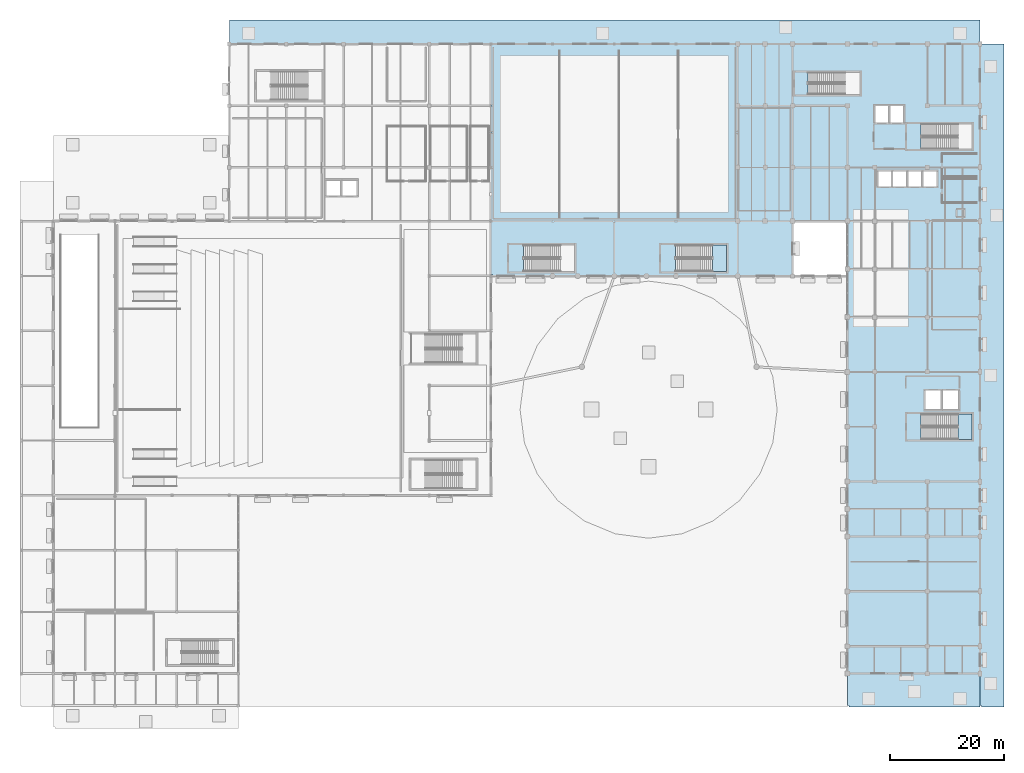
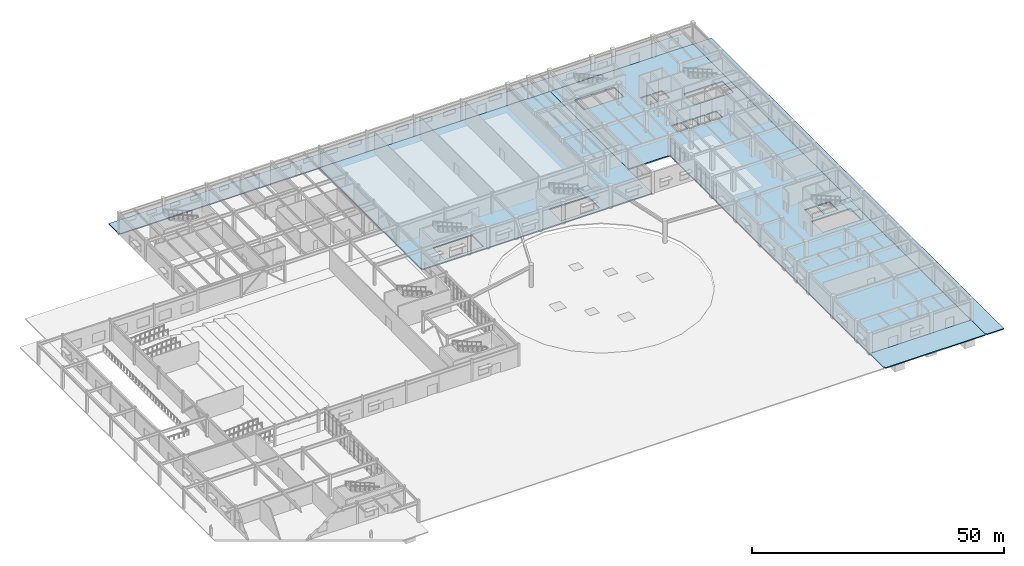
# One storey, part 26 of 54: 7 slabs, 2 elements without a shape of their own.
"""IFC4 building model written with IfcOpenShell, lengths in metres."""

from ifc_helpers import new_model, si_unit, direction, frame, origin, place, context, subcontext, project, spatial, polyline, outline, extrude, material, layer, layer_set, type_object, element, aggregate, save


model = new_model("IFC4")

# Units and contexts
model_context = context("Model", 3, precision=1e-05, world=origin(), true_north=direction((0.0, 1.0)))
body_context = subcontext(model_context, "Body", "Model", "MODEL_VIEW")
ifc_project = project(units=[si_unit("LENGTHUNIT", "METRE"), si_unit("AREAUNIT", "SQUARE_METRE"), si_unit("VOLUMEUNIT", "CUBIC_METRE"), si_unit("PLANEANGLEUNIT", "RADIAN"), si_unit("MASSUNIT", "GRAM", prefix="KILO")], contexts=[model_context])

# Site, building, storey
site_placement = place(None, origin())
site = spatial("IfcSite", under=ifc_project, at=site_placement, CompositionType="ELEMENT")
building_placement = place(site_placement, origin())
building = spatial("IfcBuilding", under=site, at=building_placement, Name="Veldera Park Congress Hotel", CompositionType="ELEMENT")
storey_placement = place(building_placement, origin())
storey = spatial("IfcBuildingStorey", under=building, at=storey_placement, Name="L00", CompositionType="ELEMENT", Elevation=0.0)

# Slabs
ifc_material_1 = material(Name="Concrete f'c 35 MPa (5,000 psi)", Category="concrete")
ifc_layer_1 = layer(ifc_material_1, 0.25)
ifc_layer_set_1 = layer_set([ifc_layer_1], Name="Concrete f'c 35 MPa (5,000 psi)")
slab_type_1 = type_object("IfcSlabType", Name="SLB-APR250", PredefinedType="BASESLAB", material=ifc_layer_set_1)
slab_1_placement = place(storey_placement, frame((0.0, 0.0, -0.25)))
element("IfcSlab", 1, at=slab_1_placement, inside=storey, type_object=slab_type_1, Name="L00 Exterior Arrival Terrace Apron SLB-APR-SOUTH-E", PredefinedType="BASESLAB", context=body_context, shape_type="SweptSolid", body=[
    extrude(outline(polyline([(60.800048828125, -57.739990234375), (61.06005859375, -57.739990234375), (61.06005859375, -58.0), (84.0, -58.0), (84.0, -52.199951171875), (60.800048828125, -52.199951171875), (60.800048828125, -57.739990234375)])), origin(), (0.0, 0.0, 1.0), 0.25),
])
slab_2_placement = place(storey_placement, frame((0.0, 0.0, -0.25)))
element("IfcSlab", 2, at=slab_2_placement, inside=storey, type_object=slab_type_1, Name="L00 Exterior Arrival Terrace Apron SLB-APR-NORTH-ST", PredefinedType="BASESLAB", context=body_context, shape_type="SweptSolid", body=[
    extrude(outline(polyline([(-47.39990234375, 58.260009765625), (-47.139892578125, 58.260009765625), (-47.139892578125, 58.0), (84.0, 58.0), (84.0, 62.199951171875), (-47.39990234375, 62.199951171875), (-47.39990234375, 58.260009765625)])), origin(), (0.0, 0.0, 1.0), 0.25),
])
slab_3_placement = place(storey_placement, frame((0.0, 0.0, -0.25)))
element("IfcSlab", 3, at=slab_3_placement, inside=storey, type_object=slab_type_1, Name="L00 Exterior Arrival Terrace Apron SLB-APR-EAST-ST", PredefinedType="BASESLAB", context=body_context, shape_type="SweptSolid", body=[
    extrude(outline(polyline([(84.0, -57.739990234375), (84.260009765625, -57.739990234375), (84.260009765625, -58.0), (88.199951171875, -58.0), (88.199951171875, 58.0), (84.0, 58.0), (84.0, -57.739990234375)])), origin(), (0.0, 0.0, 1.0), 0.25),
])
ifc_material_2 = material(Name="Concrete f'c 40 MPa (5,800 psi)", Category="concrete")
ifc_layer_2 = layer(ifc_material_2, 0.300048828125)
ifc_layer_set_2 = layer_set([ifc_layer_2], Name="Concrete f'c 40 MPa (5,800 psi)")
slab_type_2 = type_object("IfcSlabType", Name="SLB-RC300", PredefinedType="FLOOR", material=ifc_layer_set_2)
slab_4_placement = place(storey_placement, frame((0.0, 0.0, -0.300048828125)))
element("IfcSlab", 4, at=slab_4_placement, inside=storey, type_object=slab_type_2, Name="L00 Ground Floor Slab SLB-L00-V2", PredefinedType="FLOOR", context=body_context, shape_type="SweptSolid", body=[
    extrude(outline(polyline([(-1.60009765625, 17.659912109375), (-1.340087890625, 17.659912109375), (-1.340087890625, 17.39990234375), (51.199951171875, 17.39990234375), (51.199951171875, 58.0), (-1.60009765625, 58.0), (-1.60009765625, 17.659912109375)]), holes=[polyline([(4.114990234375, 18.199951171875), (13.0, 18.199951171875), (13.0, 22.800048828125), (4.114990234375, 22.800048828125), (4.114990234375, 18.199951171875)]), polyline([(30.715087890625, 18.199951171875), (39.60009765625, 18.199951171875), (39.60009765625, 22.800048828125), (30.715087890625, 22.800048828125), (30.715087890625, 18.199951171875)])]), origin(), (0.0, 0.0, 1.0), 0.300048828125),
])
slab_5_placement = place(storey_placement, frame((0.0, 0.0, -0.300048828125)))
element("IfcSlab", 5, at=slab_5_placement, inside=storey, type_object=slab_type_2, Name="L00 Ground Floor Slab SLB-L00-V4", PredefinedType="FLOOR", context=body_context, shape_type="SweptSolid", body=[
    extrude(outline(polyline([(60.800048828125, -52.199951171875), (84.0, -52.199951171875), (84.0, 58.0), (51.199951171875, 58.0), (51.199951171875, 27.0), (60.800048828125, 27.0), (60.800048828125, -52.199951171875)]), holes=[polyline([(73.715087890625, 39.60009765625), (82.60009765625, 39.60009765625), (82.60009765625, 44.0), (73.715087890625, 44.0), (73.715087890625, 39.60009765625)]), polyline([(73.715087890625, -11.199951171875), (82.60009765625, -11.199951171875), (82.60009765625, -6.800048828125), (73.715087890625, -6.800048828125), (73.715087890625, -11.199951171875)]), polyline([(53.9150390625, 49.199951171875), (63.0, 49.199951171875), (63.0, 53.0), (53.9150390625, 53.0), (53.9150390625, 49.199951171875)]), polyline([(65.64990234375, 44.25), (67.949951171875, 44.25), (67.949951171875, 47.14990234375), (65.64990234375, 47.14990234375), (65.64990234375, 44.25)]), polyline([(68.300048828125, 44.25), (70.60009765625, 44.25), (70.60009765625, 47.14990234375), (68.300048828125, 47.14990234375), (68.300048828125, 44.25)]), polyline([(66.14990234375, 33.10009765625), (68.449951171875, 33.10009765625), (68.449951171875, 35.699951171875), (66.14990234375, 35.699951171875), (66.14990234375, 33.10009765625)]), polyline([(68.800048828125, 33.10009765625), (71.10009765625, 33.10009765625), (71.10009765625, 35.699951171875), (68.800048828125, 35.699951171875), (68.800048828125, 33.10009765625)]), polyline([(71.449951171875, 33.10009765625), (73.75, 33.10009765625), (73.75, 35.699951171875), (71.449951171875, 35.699951171875), (71.449951171875, 33.10009765625)]), polyline([(74.10009765625, 33.10009765625), (76.39990234375, 33.10009765625), (76.39990234375, 35.699951171875), (74.10009765625, 35.699951171875), (74.10009765625, 33.10009765625)]), polyline([(74.449951171875, -5.949951171875), (77.14990234375, -5.949951171875), (77.14990234375, -2.64990234375), (74.449951171875, -2.64990234375), (74.449951171875, -5.949951171875)]), polyline([(77.5, -5.949951171875), (80.199951171875, -5.949951171875), (80.199951171875, -2.64990234375), (77.5, -2.64990234375), (77.5, -5.949951171875)])]), origin(), (0.0, 0.0, 1.0), 0.300048828125),
])

# Stair, slab
stair_type_1 = type_object("IfcStairType", Name="ST2", PredefinedType="HALF_TURN_STAIR", material=ifc_material_2)
stair_1_placement = place(storey_placement, origin())
stair_1 = element("IfcStair", 6, at=stair_1_placement, inside=storey, type_object=stair_type_1, Name="L00 Protected Exit Stair ST2", PredefinedType="HALF_TURN_STAIR")
ifc_layer_3 = layer(ifc_material_2, 0.199951171875)
ifc_layer_set_3 = layer_set([ifc_layer_3], Name="Concrete f'c 40 MPa (5,800 psi)")
slab_type_3 = type_object("IfcSlabType", Name="SLD-ST2", PredefinedType="LANDING", material=ifc_layer_set_3)
slab_6_placement = place(storey_placement, frame((0.0, 0.0, 2.5)))
slab_6 = element("IfcSlab", 7, at=slab_6_placement, type_object=slab_type_3, Name="ST2 landing 1", PredefinedType="LANDING", context=body_context, shape_type="SweptSolid", body=[
    extrude(outline(polyline([(80.14501953125, -11.199951171875), (82.60009765625, -11.199951171875), (82.60009765625, -6.800048828125), (80.14501953125, -6.800048828125), (80.14501953125, -11.199951171875)])), origin(), (0.0, 0.0, 1.0), 0.199951171875),
])
aggregate(stair_1, [slab_6])

stair_type_2 = type_object("IfcStairType", Name="ST7", PredefinedType="HALF_TURN_STAIR", material=ifc_material_2)
stair_2_placement = place(storey_placement, origin())
stair_2 = element("IfcStair", 8, at=stair_2_placement, inside=storey, type_object=stair_type_2, Name="L00 Protected Exit Stair ST7", PredefinedType="HALF_TURN_STAIR")
ifc_layer_4 = layer(ifc_material_2, 0.199951171875)
ifc_layer_set_4 = layer_set([ifc_layer_4], Name="Concrete f'c 40 MPa (5,800 psi)")
slab_type_4 = type_object("IfcSlabType", Name="SLD-ST7", PredefinedType="LANDING", material=ifc_layer_set_4)
slab_7_placement = place(storey_placement, frame((0.0, 0.0, 2.5)))
slab_7 = element("IfcSlab", 9, at=slab_7_placement, type_object=slab_type_4, Name="ST7 landing 1", PredefinedType="LANDING", context=body_context, shape_type="SweptSolid", body=[
    extrude(outline(polyline([(37.14501953125, 18.199951171875), (39.60009765625, 18.199951171875), (39.60009765625, 22.800048828125), (37.14501953125, 22.800048828125), (37.14501953125, 18.199951171875)])), origin(), (0.0, 0.0, 1.0), 0.199951171875),
])
aggregate(stair_2, [slab_7])

save(model, "model.ifc")
